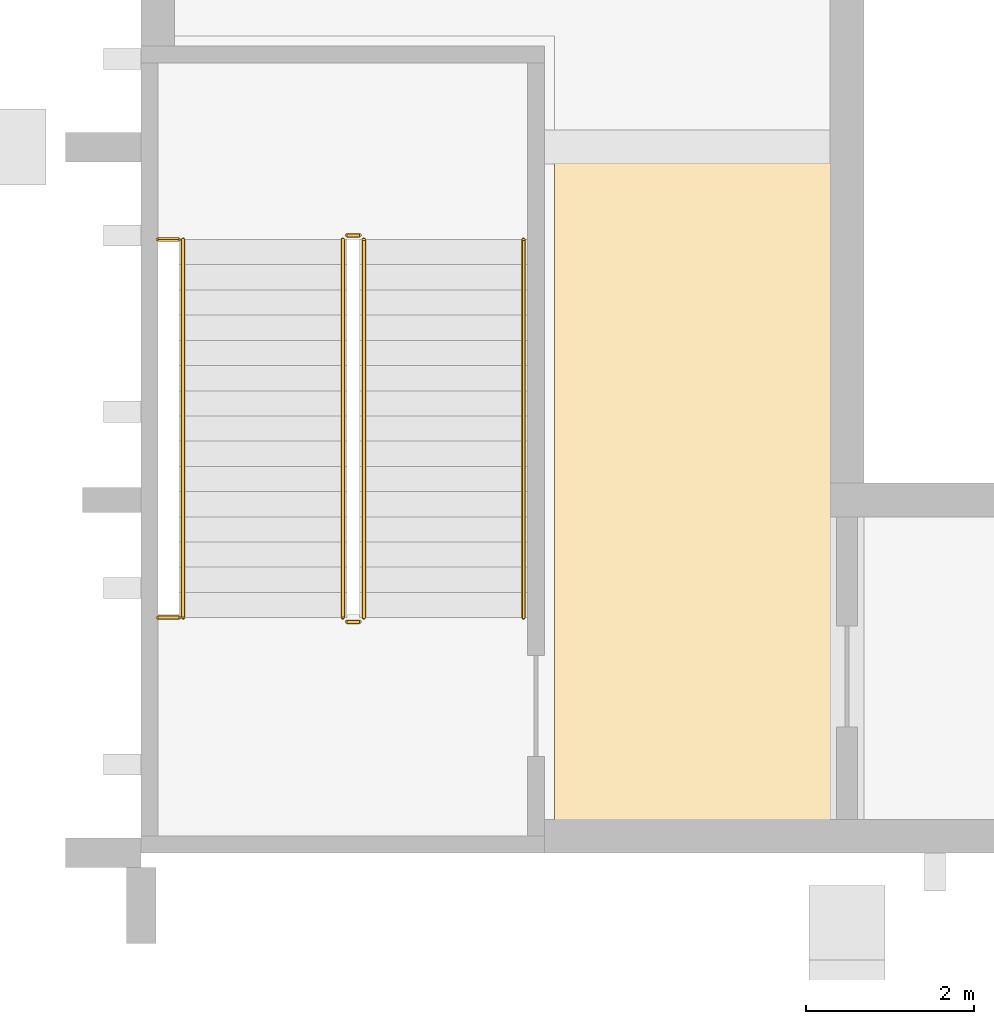
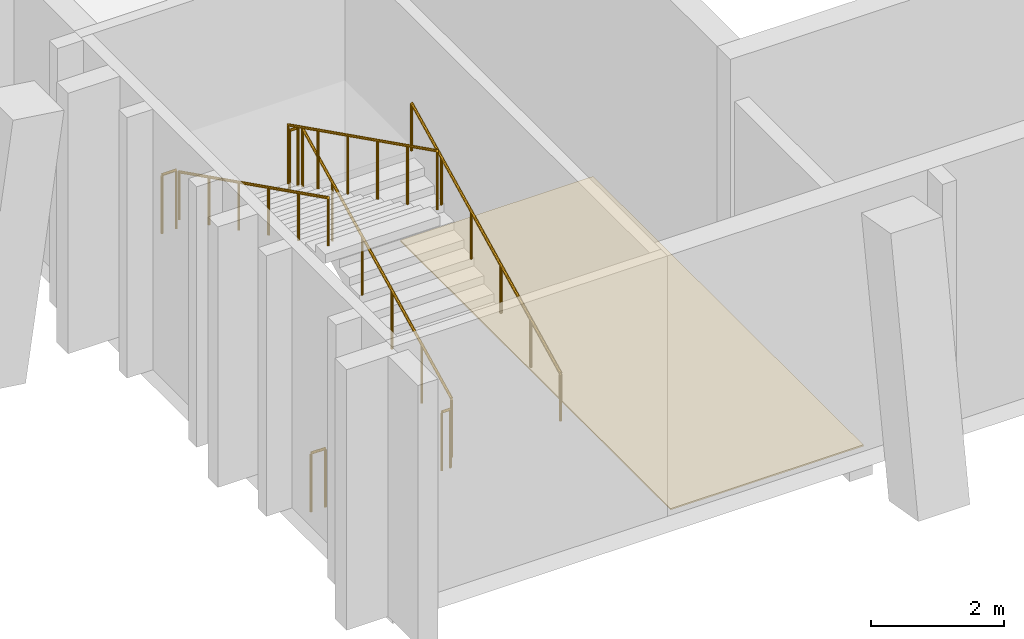
# One storey, part 81 of 91: 8 railings, 1 covering.
"""IFC4 building model written with IfcOpenShell, lengths in metres."""

import ifcopenshell
import ifcopenshell.guid

model = None  # the IFC model being written
_history = None  # IfcOwnerHistory: only IFC2X3 demands one
_inside = {}  # id of a spatial element -> (the spatial element, [elements in it])
_under = {}  # id of a project, library or spatial element -> (it, [spatial elements below it])
_declared = {}  # id of a project -> (the project, [libraries it declares])
_typed = {}  # id of a type object -> (the type object, [elements of that type])
_made_of = {}  # id of a material, layer set ... -> (it, [elements and type objects made of it])


def new_model(schema):
    """Start an empty IFC model of exactly this schema.

    Asked for "IFC4X3", IfcOpenShell would pick the latest addendum, in which some entities
    have other attributes; the version numbers below select the first issue.
    IFC2X3 requires an IfcOwnerHistory on every rooted entity: one is made here for all.
    """
    global model, _history
    if schema == "IFC4X3":
        model = ifcopenshell.file(schema_version=(4, 3, 0, 0))
    else:
        model = ifcopenshell.file(schema=schema)
    _inside.clear()
    _under.clear()
    _declared.clear()
    _typed.clear()
    _made_of.clear()
    _history = None
    if model.schema == "IFC2X3":
        org = make("IfcOrganization", Name="unknown")
        user = make(
            "IfcPersonAndOrganization",
            ThePerson=make("IfcPerson", FamilyName="unknown"),
            TheOrganization=org,
        )
        app = make(
            "IfcApplication",
            ApplicationDeveloper=org,
            Version="unknown",
            ApplicationFullName="unknown",
            ApplicationIdentifier="unknown",
        )
        _history = make(
            "IfcOwnerHistory",
            OwningUser=user,
            OwningApplication=app,
            ChangeAction="ADDED",
            CreationDate=0,
        )
    return model


def make(cls, **values):
    """One entity of the class cls with the attributes given. An attribute that is None is left unset."""
    return model.create_entity(
        cls, **{name: value for name, value in values.items() if value is not None}
    )


def rooted(cls, **values):
    """An entity with a GlobalId (a new one), such as an element, a storey or a relation."""
    return make(cls, GlobalId=ifcopenshell.guid.new(), OwnerHistory=_history, **values)


def si_unit(unit_type, name, prefix=None):
    """IfcSIUnit, for example si_unit("LENGTHUNIT", "METRE", prefix="MILLI")."""
    return make("IfcSIUnit", UnitType=unit_type, Prefix=prefix, Name=name)


def assignment(units):
    """IfcUnitAssignment: the units of a project."""
    return None if units is None else make("IfcUnitAssignment", Units=units)


def point(xyz):
    """IfcCartesianPoint."""
    return None if xyz is None else make("IfcCartesianPoint", Coordinates=xyz)


def direction(xyz):
    """IfcDirection."""
    return None if xyz is None else make("IfcDirection", DirectionRatios=xyz)


def frame(location, z_axis=None, x_axis=None):
    """IfcAxis2Placement3D, a coordinate frame: its origin and axes. An axis left out is left unset."""
    return make(
        "IfcAxis2Placement3D",
        Location=point(location),
        Axis=direction(z_axis),
        RefDirection=direction(x_axis),
    )


def frame_2d(location, x_axis=None):
    """IfcAxis2Placement2D, a coordinate frame in the plane: its origin and x axis."""
    return make(
        "IfcAxis2Placement2D", Location=point(location), RefDirection=direction(x_axis)
    )


def origin():
    """The frame at (0, 0, 0) with its axes left unset."""
    return frame((0.0, 0.0, 0.0))


def origin_2d():
    """The frame at (0, 0) in the plane with its x axis left unset."""
    return frame_2d((0.0, 0.0))


def place(relative_to, where):
    """IfcLocalPlacement: puts the frame where relative to a parent placement (None: the world)."""
    return make(
        "IfcLocalPlacement", PlacementRelTo=relative_to, RelativePlacement=where
    )


def context(
    kind, dimensions, precision=None, world=None, true_north=None, identifier=None
):
    """IfcGeometricRepresentationContext, for example the 3D "Model" context."""
    return make(
        "IfcGeometricRepresentationContext",
        ContextIdentifier=identifier,
        ContextType=kind,
        CoordinateSpaceDimension=dimensions,
        Precision=precision,
        WorldCoordinateSystem=world,
        TrueNorth=true_north,
    )


def subcontext(parent, identifier, kind, view, scale=None):
    """IfcGeometricRepresentationSubContext, for example "Body" below "Model"."""
    return make(
        "IfcGeometricRepresentationSubContext",
        ContextIdentifier=identifier,
        ContextType=kind,
        ParentContext=parent,
        TargetScale=scale,
        TargetView=view,
    )


def project(units=None, contexts=None):
    """IfcProject with its units and contexts."""
    return rooted(
        "IfcProject",
        Name="project",
        RepresentationContexts=contexts,
        UnitsInContext=assignment(units),
    )


def spatial(cls, under=None, at=None, **own):
    """A site, building, storey or space (cls), placed at a placement, below another one or the project."""
    s = rooted(cls, ObjectPlacement=at, **own)
    if under is not None:
        _under.setdefault(under.id(), (under, []))[1].append(s)
    return s


def polyline(points):
    """IfcPolyline through the points."""
    return make("IfcPolyline", Points=[point(p) for p in points])


def profile(cls, at=None, kind="AREA", **sizes):
    """A parametric profile (cls). Its sizes go by their IFC names, for example OverallWidth=200.0."""
    return make(cls, ProfileType=kind, Position=at, **sizes)


def circle(**sizes):
    """IfcCircleProfileDef."""
    return profile("IfcCircleProfileDef", **sizes)


def outline(outer, holes=None, kind="AREA"):
    """IfcArbitraryClosedProfileDef: a profile drawn as a closed curve; with holes, ...WithVoids."""
    if holes is None:
        return make("IfcArbitraryClosedProfileDef", ProfileType=kind, OuterCurve=outer)
    return make(
        "IfcArbitraryProfileDefWithVoids",
        ProfileType=kind,
        OuterCurve=outer,
        InnerCurves=holes,
    )


def extrude(swept, where, along, depth):
    """IfcExtrudedAreaSolid: the profile swept, set in the frame where, extruded along a direction by depth."""
    return make(
        "IfcExtrudedAreaSolid",
        SweptArea=swept,
        Position=where,
        ExtrudedDirection=direction(along),
        Depth=depth,
    )


def shape(context_of_items, identifier, shape_type, items):
    """IfcShapeRepresentation: the items that make up one representation, for example the "Body"."""
    return make(
        "IfcShapeRepresentation",
        ContextOfItems=context_of_items,
        RepresentationIdentifier=identifier,
        RepresentationType=shape_type,
        Items=items,
    )


def material(Name=None, Category=None):
    """IfcMaterial."""
    return make("IfcMaterial", Name=Name, Category=Category)


def layer(
    of_material, thickness, ventilated=None, Name=None, Category=None, Priority=None
):
    """IfcMaterialLayer: one layer of a wall or slab, of a material (None: an air gap)."""
    return make(
        "IfcMaterialLayer",
        Material=of_material,
        LayerThickness=thickness,
        IsVentilated=ventilated,
        Name=Name,
        Category=Category,
        Priority=Priority,
    )


def layer_set(layers, Name=None):
    """IfcMaterialLayerSet."""
    return make("IfcMaterialLayerSet", MaterialLayers=layers, LayerSetName=Name)


def made_of(thing, what):
    """Note that an element or type object is made of a material, layer set ...; save() writes the relation."""
    if what is not None:
        _made_of.setdefault(what.id(), (what, []))[1].append(thing)
    return thing


def type_object(cls, material=None, **own):
    """A type object (cls), such as IfcWallType, which elements share."""
    return made_of(rooted(cls, **own), material)


def element(
    cls,
    number,
    at=None,
    inside=None,
    cuts=None,
    type_object=None,
    material=None,
    context=None,
    identifier="Body",
    shape_type=None,
    held_by="IfcProductDefinitionShape",
    body=None,
    shapes=None,
    **own,
):
    """One element of the class cls, such as IfcWall. Its Tag is "e" and its number.

    at: its placement. inside: the storey or other place that contains it. cuts: it is an
    opening in that element (IfcRelVoidsElement). A single representation is given by context,
    identifier, shape_type and body (its items); several are given by shapes. held_by: the class
    of the entity that holds the representations. save() writes the other relations.
    """
    e = rooted(cls, Tag="e%d" % number, ObjectPlacement=at, **own)
    if body is not None:
        shapes = [shape(context, identifier, shape_type, body)]
    if shapes is not None:
        e.Representation = make(held_by, Representations=shapes)
    if inside is not None:
        _inside.setdefault(inside.id(), (inside, []))[1].append(e)
    if cuts is not None:
        rooted(
            "IfcRelVoidsElement", RelatingBuildingElement=cuts, RelatedOpeningElement=e
        )
    if type_object is not None:
        _typed.setdefault(type_object.id(), (type_object, []))[1].append(e)
    return made_of(e, material)


def aggregate(whole, parts):
    """IfcRelAggregates: a whole, such as a stair, and the parts it consists of."""
    return rooted("IfcRelAggregates", RelatingObject=whole, RelatedObjects=parts)


def save(model, path):
    """Write the relations noted so far, then the file.

    IfcRelAggregates (storeys below a building ...), IfcRelContainedInSpatialStructure (elements
    in a storey), IfcRelDefinesByType, IfcRelAssociatesMaterial and IfcRelDeclares: one each for
    every whole, place, type object, material and project.
    """
    for whole, parts in _under.values():
        aggregate(whole, parts)
    for where, things in _inside.values():
        rooted(
            "IfcRelContainedInSpatialStructure",
            RelatedElements=things,
            RelatingStructure=where,
        )
    for kind, things in _typed.values():
        rooted("IfcRelDefinesByType", RelatedObjects=things, RelatingType=kind)
    for what, things in _made_of.values():
        rooted("IfcRelAssociatesMaterial", RelatedObjects=things, RelatingMaterial=what)
    for by, libraries in _declared.values():
        rooted("IfcRelDeclares", RelatingContext=by, RelatedDefinitions=libraries)
    model.write(path)


model = new_model("IFC4")

# Units and contexts
model_context = context("Model", 3, precision=1e-05, world=origin(), true_north=direction((0.0, 1.0)))
body_context = subcontext(model_context, "Body", "Model", "MODEL_VIEW")
ifc_project = project(units=[si_unit("LENGTHUNIT", "METRE"), si_unit("AREAUNIT", "SQUARE_METRE"), si_unit("VOLUMEUNIT", "CUBIC_METRE"), si_unit("PLANEANGLEUNIT", "RADIAN"), si_unit("MASSUNIT", "GRAM", prefix="KILO")], contexts=[model_context])

# Site, building, storey
site_placement = place(None, origin())
site = spatial("IfcSite", under=ifc_project, at=site_placement, CompositionType="ELEMENT")
building_placement = place(site_placement, origin())
building = spatial("IfcBuilding", under=site, at=building_placement, Name="Kiln Court Media Centre", CompositionType="ELEMENT")
storey_placement = place(building_placement, frame((0.0, 0.0, 5.39990234375)))
storey = spatial("IfcBuildingStorey", under=building, at=storey_placement, Name="L01", CompositionType="ELEMENT", Elevation=5.39990234375)

# Covering
ifc_material_1 = material(Name="Terrazzo")
ifc_layer = layer(ifc_material_1, 0.02490234375)
ifc_layer_set = layer_set([ifc_layer], Name="Polished terrazzo floor finish 25")
covering_type = type_object("IfcCoveringType", Name="Polished terrazzo floor finish 25", PredefinedType="FLOORING", material=ifc_layer_set)
covering_placement = place(storey_placement, origin())
element("IfcCovering", 1, at=covering_placement, inside=storey, type_object=covering_type, Name="Production Gallery floor finish", PredefinedType="FLOORING", context=body_context, shape_type="SweptSolid", body=[
    extrude(outline(polyline([(125.8798828125, 41.8798828125), (122.52001953125, 41.8798828125), (122.52001953125, 33.719970703125), (125.8798828125, 33.719970703125), (125.8798828125, 41.8798828125)])), origin(), (0.0, 0.0, 1.0), 0.025146484375),
])

# Railings
ifc_material_2 = material(Name="Steel S275", Category="steel")
railing_type_1 = type_object("IfcRailingType", Name="Steel S275 stair guard 1100", PredefinedType="GUARDRAIL", material=ifc_material_2)
railing_1_placement = place(storey_placement, frame((120.25, 36.39990234375, 0.150146484375)))
element("IfcRailing", 2, at=railing_1_placement, inside=storey, type_object=railing_type_1, Name="ST-13 stair guard", PredefinedType="GUARDRAIL", context=body_context, shape_type="SweptSolid", body=[
    extrude(circle(Radius=0.02392578125, at=origin_2d()), frame((0.0, 0.0, 1.076171875), z_axis=(0.0, 0.894427191, 0.4472135955), x_axis=(-1.0, 0.0, 0.0)), (0.0, 0.0, 1.0), 5.03125),
    extrude(circle(Radius=0.02099609375, at=origin_2d()), origin(), (0.0, 0.0, 1.0), 1.052001953125),
    extrude(circle(Radius=0.02099609375, at=origin_2d()), frame((0.0, 0.89990234375, 0.449951171875)), (0.0, 0.0, 1.0), 1.052001953125),
    extrude(circle(Radius=0.02099609375, at=origin_2d()), frame((0.0, 1.800048828125, 0.89990234375)), (0.0, 0.0, 1.0), 1.052001953125),
    extrude(circle(Radius=0.02099609375, at=origin_2d()), frame((0.0, 2.699951171875, 1.35009765625)), (0.0, 0.0, 1.0), 1.052001953125),
    extrude(circle(Radius=0.02099609375, at=origin_2d()), frame((0.0, 3.60009765625, 1.800048828125)), (0.0, 0.0, 1.0), 1.052001953125),
    extrude(circle(Radius=0.02099609375, at=origin_2d()), frame((0.0, 4.5, 2.25)), (0.0, 0.0, 1.0), 1.052001953125),
])
railing_2_placement = place(storey_placement, frame((120.199951171875, 40.949951171875, 2.400146484375)))
element("IfcRailing", 3, at=railing_2_placement, inside=storey, type_object=railing_type_1, Name="ST-13 stair guard", PredefinedType="GUARDRAIL", context=body_context, shape_type="SweptSolid", body=[
    extrude(circle(Radius=0.02392578125, at=origin_2d()), frame((0.0, 0.0, 1.076171875), z_axis=(-1.0, 0.0, 0.0), x_axis=(0.0, -1.0, 0.0)), (0.0, 0.0, 1.0), 0.14990234375),
    extrude(circle(Radius=0.02099609375, at=origin_2d()), origin(), (0.0, 0.0, 1.0), 1.052001953125),
    extrude(circle(Radius=0.02099609375, at=origin_2d()), frame((-0.14990234375, 0.0, 0.0)), (0.0, 0.0, 1.0), 1.052001953125),
])
railing_3_placement = place(storey_placement, frame((120.0, 40.89990234375, 2.550048828125)))
element("IfcRailing", 4, at=railing_3_placement, inside=storey, type_object=railing_type_1, Name="ST-13 stair guard", PredefinedType="GUARDRAIL", context=body_context, shape_type="SweptSolid", body=[
    extrude(circle(Radius=0.02392578125, at=origin_2d()), frame((0.0, 0.0, 1.076171875), z_axis=(0.0, -0.894427191, 0.4472135955), x_axis=(1.0, 0.0, 0.0)), (0.0, 0.0, 1.0), 5.03125),
    extrude(circle(Radius=0.02099609375, at=origin_2d()), origin(), (0.0, 0.0, 1.0), 1.052001953125),
    extrude(circle(Radius=0.02099609375, at=origin_2d()), frame((0.0, -0.89990234375, 0.449951171875)), (0.0, 0.0, 1.0), 1.052001953125),
    extrude(circle(Radius=0.02099609375, at=origin_2d()), frame((0.0, -1.800048828125, 0.89990234375)), (0.0, 0.0, 1.0), 1.052001953125),
    extrude(circle(Radius=0.02099609375, at=origin_2d()), frame((0.0, -2.699951171875, 1.35009765625)), (0.0, 0.0, 1.0), 1.052001953125),
    extrude(circle(Radius=0.02099609375, at=origin_2d()), frame((0.0, -3.60009765625, 1.800048828125)), (0.0, 0.0, 1.0), 1.052001953125),
    extrude(circle(Radius=0.02099609375, at=origin_2d()), frame((0.0, -4.5, 2.25)), (0.0, 0.0, 1.0), 1.052001953125),
])
railing_4_placement = place(storey_placement, frame((120.199951171875, 36.35009765625, 0.0)))
element("IfcRailing", 5, at=railing_4_placement, inside=storey, type_object=railing_type_1, Name="ST-13 stair guard", PredefinedType="GUARDRAIL", context=body_context, shape_type="SweptSolid", body=[
    extrude(circle(Radius=0.02392578125, at=origin_2d()), frame((0.0, 0.0, 1.076171875), z_axis=(-1.0, 0.0, 0.0), x_axis=(0.0, -1.0, 0.0)), (0.0, 0.0, 1.0), 0.14990234375),
    extrude(circle(Radius=0.02099609375, at=origin_2d()), origin(), (0.0, 0.0, 1.0), 1.052001953125),
    extrude(circle(Radius=0.02099609375, at=origin_2d()), frame((-0.14990234375, 0.0, 0.0)), (0.0, 0.0, 1.0), 1.052001953125),
])
for number, where, name in (
    (6, (118.050048828125, 40.89990234375, 2.400146484375), "ST-13 landing edge guard"),
    (7, (118.050048828125, 36.39990234375, 0.0), "ST-13 landing edge guard"),
):
    element("IfcRailing", number, at=place(storey_placement, frame(where)), inside=storey, type_object=railing_type_1, Name=name, PredefinedType="GUARDRAIL", context=body_context, shape_type="SweptSolid", body=[
        extrude(circle(Radius=0.02392578125, at=origin_2d()), frame((0.0, 0.0, 1.076171875), z_axis=(-1.0, 0.0, 0.0), x_axis=(0.0, -1.0, 0.0)), (0.0, 0.0, 1.0), 0.25),
        extrude(circle(Radius=0.02099609375, at=origin_2d()), origin(), (0.0, 0.0, 1.0), 1.052001953125),
        extrude(circle(Radius=0.02099609375, at=origin_2d()), frame((-0.25, 0.0, 0.0)), (0.0, 0.0, 1.0), 1.052001953125),
    ])
ifc_material_3 = material(Name="Steel S275", Category="steel")
railing_type_2 = type_object("IfcRailingType", Name="Steel S275 stair handrail 900", PredefinedType="HANDRAIL", material=ifc_material_3)
railing_5_placement = place(storey_placement, frame((122.14990234375, 36.39990234375, 0.150146484375)))
element("IfcRailing", 8, at=railing_5_placement, inside=storey, type_object=railing_type_2, Name="ST-13 stair handrail", PredefinedType="HANDRAIL", context=body_context, shape_type="SweptSolid", body=[
    extrude(circle(Radius=0.02392578125, at=origin_2d()), frame((0.0, 0.0, 0.8759765625), z_axis=(0.0, 0.894427191, 0.4472135955), x_axis=(-1.0, 0.0, 0.0)), (0.0, 0.0, 1.0), 5.03125),
    extrude(circle(Radius=0.02099609375, at=origin_2d()), origin(), (0.0, 0.0, 1.0), 0.851806640625),
    extrude(circle(Radius=0.02099609375, at=origin_2d()), frame((0.0, 0.89990234375, 0.449951171875)), (0.0, 0.0, 1.0), 0.851806640625),
    extrude(circle(Radius=0.02099609375, at=origin_2d()), frame((0.0, 1.800048828125, 0.89990234375)), (0.0, 0.0, 1.0), 0.851806640625),
    extrude(circle(Radius=0.02099609375, at=origin_2d()), frame((0.0, 2.699951171875, 1.35009765625)), (0.0, 0.0, 1.0), 0.851806640625),
    extrude(circle(Radius=0.02099609375, at=origin_2d()), frame((0.0, 3.60009765625, 1.800048828125)), (0.0, 0.0, 1.0), 0.851806640625),
    extrude(circle(Radius=0.02099609375, at=origin_2d()), frame((0.0, 4.5, 2.25)), (0.0, 0.0, 1.0), 0.851806640625),
])
railing_6_placement = place(storey_placement, frame((118.10009765625, 40.89990234375, 2.550048828125)))
element("IfcRailing", 9, at=railing_6_placement, inside=storey, type_object=railing_type_2, Name="ST-13 stair handrail", PredefinedType="HANDRAIL", context=body_context, shape_type="SweptSolid", body=[
    extrude(circle(Radius=0.02392578125, at=origin_2d()), frame((0.0, 0.0, 0.8759765625), z_axis=(0.0, -0.894427191, 0.4472135955), x_axis=(1.0, 0.0, 0.0)), (0.0, 0.0, 1.0), 5.03125),
    extrude(circle(Radius=0.02099609375, at=origin_2d()), origin(), (0.0, 0.0, 1.0), 0.851806640625),
    extrude(circle(Radius=0.02099609375, at=origin_2d()), frame((0.0, -0.89990234375, 0.449951171875)), (0.0, 0.0, 1.0), 0.851806640625),
    extrude(circle(Radius=0.02099609375, at=origin_2d()), frame((0.0, -1.800048828125, 0.89990234375)), (0.0, 0.0, 1.0), 0.851806640625),
    extrude(circle(Radius=0.02099609375, at=origin_2d()), frame((0.0, -2.699951171875, 1.35009765625)), (0.0, 0.0, 1.0), 0.851806640625),
    extrude(circle(Radius=0.02099609375, at=origin_2d()), frame((0.0, -3.60009765625, 1.800048828125)), (0.0, 0.0, 1.0), 0.851806640625),
    extrude(circle(Radius=0.02099609375, at=origin_2d()), frame((0.0, -4.5, 2.25)), (0.0, 0.0, 1.0), 0.851806640625),
])

save(model, "model.ifc")
